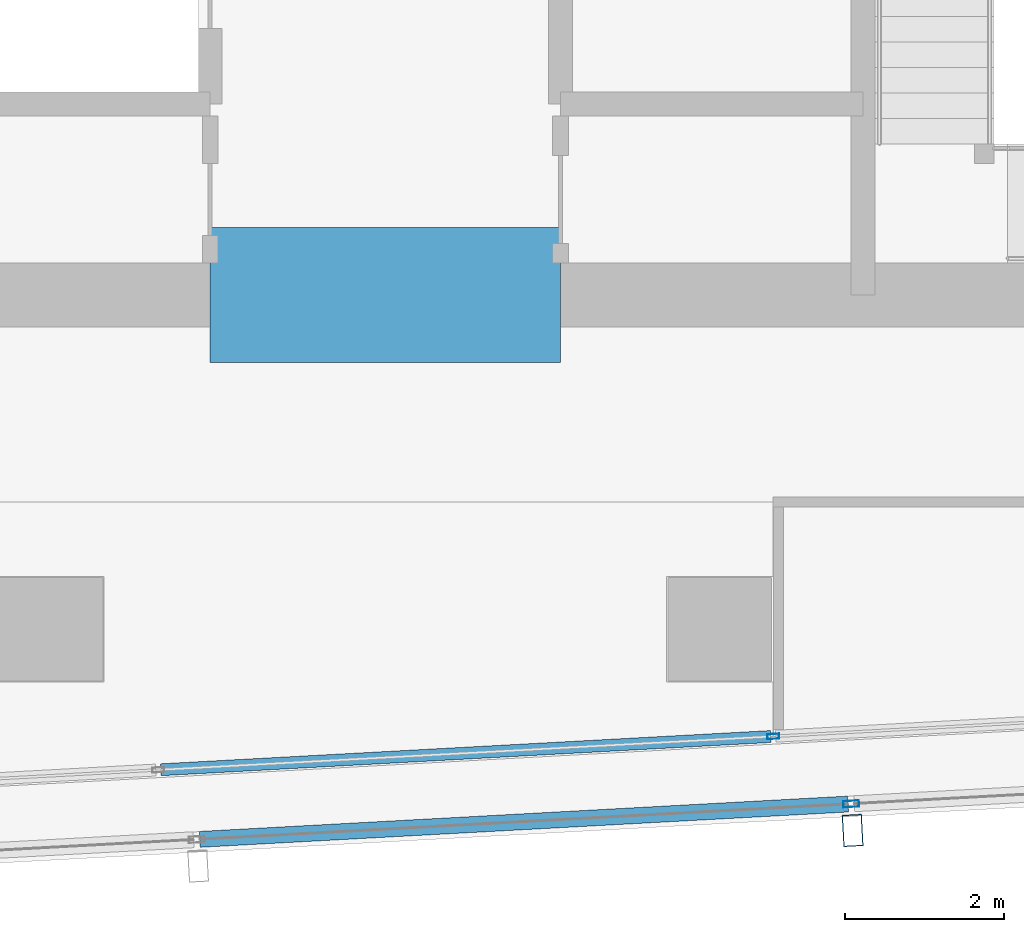
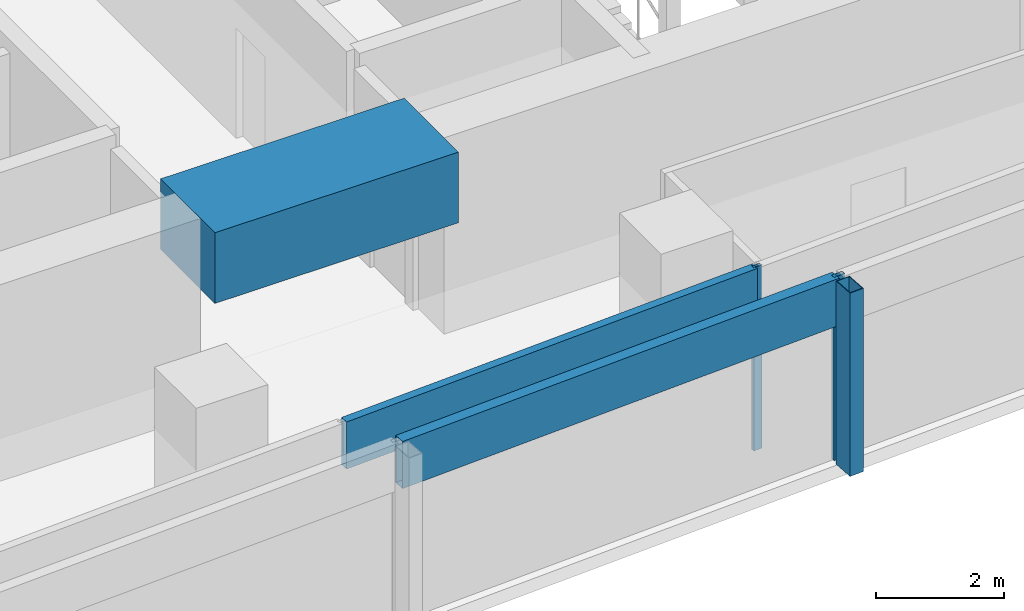
# One storey, part 9 of 29: 5 members, 1 beam, 2 elements without a shape of their own.
"""IFC4 building model written with IfcOpenShell, lengths in metres."""

from ifc_helpers import new_model, si_unit, direction, frame, origin, origin_2d, place, context, subcontext, project, spatial, rectangle, hollow_rectangle, extrude, material, material_profile, profile_set, type_object, element, aggregate, save


model = new_model("IFC4")

# Units and contexts
model_context = context("Model", 3, precision=1e-05, world=origin(), true_north=direction((0.0, 1.0)))
body_context = subcontext(model_context, "Body", "Model", "MODEL_VIEW")
ifc_project = project(units=[si_unit("LENGTHUNIT", "METRE"), si_unit("AREAUNIT", "SQUARE_METRE"), si_unit("VOLUMEUNIT", "CUBIC_METRE"), si_unit("PLANEANGLEUNIT", "RADIAN"), si_unit("MASSUNIT", "GRAM", prefix="KILO")], contexts=[model_context])

# Site, building, storey
site_placement = place(None, origin())
site = spatial("IfcSite", under=ifc_project, at=site_placement, CompositionType="ELEMENT")
building_placement = place(site_placement, origin())
building = spatial("IfcBuilding", under=site, at=building_placement, Name="Rekha Terrace Tower", CompositionType="ELEMENT")
storey_placement = place(building_placement, frame((0.0, 0.0, 257.60009765625)))
storey = spatial("IfcBuildingStorey", under=building, at=storey_placement, Name="L65", CompositionType="ELEMENT", Elevation=257.60009765625)

# Curtain wall, member
ifc_material_1 = material(Name="Aluminium framing", Category="aluminium")
curtain_wall_type_1 = type_object("IfcCurtainWallType", Name="CW2 double skin outer glazing", PredefinedType="USERDEFINED", material=ifc_material_1)
curtain_wall_1_placement = place(storey_placement, origin())
curtain_wall_1 = element("IfcCurtainWall", 1, at=curtain_wall_1_placement, inside=storey, type_object=curtain_wall_type_1, Name="CW2 double skin outer glazing", ObjectType="DOUBLE SKIN OUTER GLAZING", PredefinedType="USERDEFINED")
ifc_material_2 = material(Name="Steel S355 with fluorocarbon finish", Category="steel")
ifc_material_profile_1 = material_profile(ifc_material_2, hollow_rectangle(XDim=0.25, YDim=0.39990234375, WallThickness=0.012451171875, at=origin_2d()), Name="RHS400x250x12.5")
ifc_profile_set_1 = profile_set([ifc_material_profile_1], Name="Steel S355 with fluorocarbon finish")
member_type_1 = type_object("IfcMemberType", Name="BL1 facade blade RHS 400 x 250", PredefinedType="USERDEFINED", material=ifc_profile_set_1)
member_1_placement = place(storey_placement, frame((43.67138671875, 14.271728515625, 0.0), z_axis=(0.0, 0.0, 1.0), x_axis=(0.99851982155, 0.054389024366, 0.0)))
member_1 = element("IfcMember", 2, at=member_1_placement, type_object=member_type_1, Name="Facade blade", ObjectType="FACADE BLADE", PredefinedType="USERDEFINED", context=body_context, shape_type="SweptSolid", body=[
    extrude(hollow_rectangle(XDim=0.25, YDim=0.39990234375, WallThickness=0.012451171875, at=origin_2d()), origin(), (0.0, 0.0, 1.0), 3.5),
])

# Curtain wall, members
curtain_wall_type_2 = type_object("IfcCurtainWallType", Name="CW1 double skin inner glazing", PredefinedType="USERDEFINED", material=ifc_material_1)
curtain_wall_2_placement = place(storey_placement, origin())
curtain_wall_2 = element("IfcCurtainWall", 3, at=curtain_wall_2_placement, inside=storey, type_object=curtain_wall_type_2, Name="CW1 double skin inner glazing", ObjectType="DOUBLE SKIN INNER GLAZING", PredefinedType="USERDEFINED")
ifc_material_3 = material(Name="Aluminium mullion section", Category="aluminium")
ifc_material_profile_2 = material_profile(ifc_material_3, hollow_rectangle(XDim=0.06494140625, YDim=0.14990234375, WallThickness=0.00390625, at=origin_2d()), Name="AL RHS 65x150")
ifc_profile_set_2 = profile_set([ifc_material_profile_2], Name="Aluminium mullion section")
member_type_2 = type_object("IfcMemberType", Name="CW1 mullion RHS 65 x 150", PredefinedType="MULLION", material=ifc_profile_set_2)
member_2_placement = place(storey_placement, frame((42.673583984375, 15.4541015625, 0.0), z_axis=(0.0, 0.0, 1.0), x_axis=(-0.054388903036, 0.998519828159, 0.0)))
member_2 = element("IfcMember", 4, at=member_2_placement, type_object=member_type_2, Name="CW1 mullion 3", PredefinedType="MULLION", context=body_context, shape_type="SweptSolid", body=[
    extrude(hollow_rectangle(XDim=0.06494140625, YDim=0.14990234375, WallThickness=0.00390625, at=origin_2d()), origin(), (0.0, 0.0, 1.0), 3.5),
])
ifc_material_4 = material(Name="Insulated aluminium spandrel box", Category="aluminium")
ifc_material_profile_3 = material_profile(ifc_material_4, hollow_rectangle(XDim=0.14990234375, YDim=0.89990234375, WallThickness=0.0029296875, at=origin_2d()), Name="AL SPANDREL BOX 150x900")
ifc_profile_set_3 = profile_set([ifc_material_profile_3], Name="Insulated aluminium spandrel box")
member_type_3 = type_object("IfcMemberType", Name="CW1 spandrel transom 150 x 900", PredefinedType="USERDEFINED", material=ifc_profile_set_3)
member_3_placement = place(storey_placement, frame((34.980224609375, 15.03515625, 3.0498046875), z_axis=(0.998520172557, 0.054382579907, 0.0), x_axis=(-0.054382579907, 0.998520172557, 0.0)))
member_3 = element("IfcMember", 5, at=member_3_placement, type_object=member_type_3, Name="CW1 spandrel transom 2", ObjectType="TRANSOM", PredefinedType="USERDEFINED", context=body_context, shape_type="SweptSolid", body=[
    extrude(hollow_rectangle(XDim=0.14990234375, YDim=0.89990234375, WallThickness=0.0029296875, at=origin_2d()), origin(), (0.0, 0.0, 1.0), 7.67236328125),
])
aggregate(curtain_wall_2, [member_2, member_3])

# Member
ifc_material_profile_4 = material_profile(ifc_material_3, hollow_rectangle(XDim=0.080078125, YDim=0.199951171875, WallThickness=0.00390625, at=origin_2d()), Name="AL RHS 80x200")
ifc_profile_set_4 = profile_set([ifc_material_profile_4], Name="Aluminium mullion section")
member_type_4 = type_object("IfcMemberType", Name="CW2 mullion RHS 80 x 200", PredefinedType="MULLION", material=ifc_profile_set_4)
member_4_placement = place(storey_placement, frame((43.6533203125, 14.606201171875, 0.0), z_axis=(0.0, 0.0, 1.0), x_axis=(-0.054388903071, 0.998519828157, 0.0)))
member_4 = element("IfcMember", 6, at=member_4_placement, type_object=member_type_4, Name="CW2 mullion 3", PredefinedType="MULLION", context=body_context, shape_type="SweptSolid", body=[
    extrude(hollow_rectangle(XDim=0.080078125, YDim=0.199951171875, WallThickness=0.00390625, at=origin_2d()), origin(), (0.0, 0.0, 1.0), 3.5),
])

ifc_material_profile_5 = material_profile(ifc_material_4, hollow_rectangle(XDim=0.199951171875, YDim=0.89990234375, WallThickness=0.0029296875, at=origin_2d()), Name="AL SPANDREL BOX 200x900")
ifc_profile_set_5 = profile_set([ifc_material_profile_5], Name="Insulated aluminium spandrel box")
member_type_5 = type_object("IfcMemberType", Name="CW2 spandrel transom 200 x 900", PredefinedType="USERDEFINED", material=ifc_profile_set_5)
member_5_placement = place(storey_placement, frame((35.469970703125, 14.160400390625, 3.0498046875), z_axis=(0.998519553524, 0.054393944798, 0.0), x_axis=(-0.054393944798, 0.998519553524, 0.0)))
member_5 = element("IfcMember", 7, at=member_5_placement, type_object=member_type_5, Name="CW2 spandrel transom 2", ObjectType="TRANSOM", PredefinedType="USERDEFINED", context=body_context, shape_type="SweptSolid", body=[
    extrude(hollow_rectangle(XDim=0.199951171875, YDim=0.89990234375, WallThickness=0.0029296875, at=origin_2d()), origin(), (0.0, 0.0, 1.0), 8.1552734375),
])

aggregate(curtain_wall_1, [member_4, member_5, member_1])

# Beam
ifc_material_5 = material(Name="Concrete M60", Category="concrete")
ifc_material_profile_6 = material_profile(ifc_material_5, rectangle(XDim=1.699951171875, YDim=1.35009765625, at=origin_2d()), Name="RC 1700x1350")
ifc_profile_set_6 = profile_set([ifc_material_profile_6], Name="Concrete M60")
beam_type = type_object("IfcBeamType", Name="LB5A 1700x1350 diagonally reinforced coupling beam", PredefinedType="LINTEL", material=ifc_profile_set_6)
beam_placement = place(storey_placement, frame((35.60009765625, 21.0, 3.074951171875), z_axis=(1.0, 0.0, 0.0), x_axis=(0.0, 1.0, 0.0)))
element("IfcBeam", 8, at=beam_placement, inside=storey, type_object=beam_type, Name="Coupling beam LB5A S L65", PredefinedType="LINTEL", context=body_context, shape_type="SweptSolid", body=[
    extrude(rectangle(XDim=1.699951171875, YDim=1.35009765625, at=origin_2d()), origin(), (0.0, 0.0, 1.0), 4.39990234375),
])

save(model, "model.ifc")
